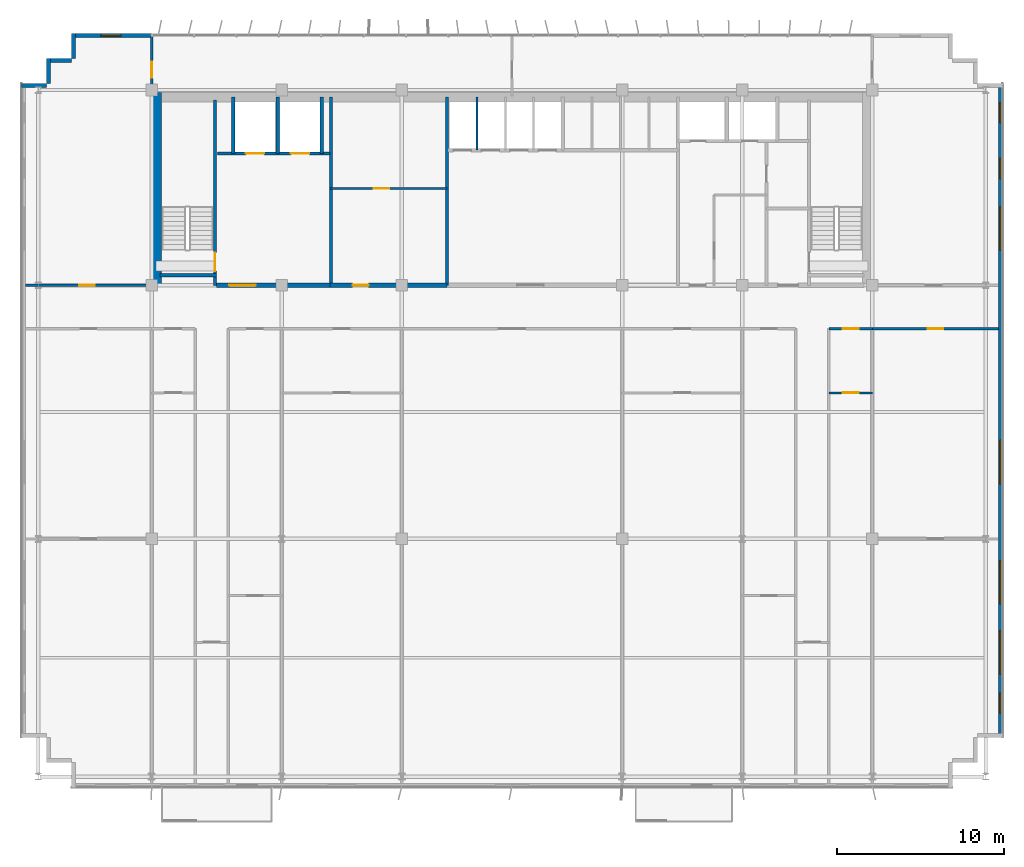
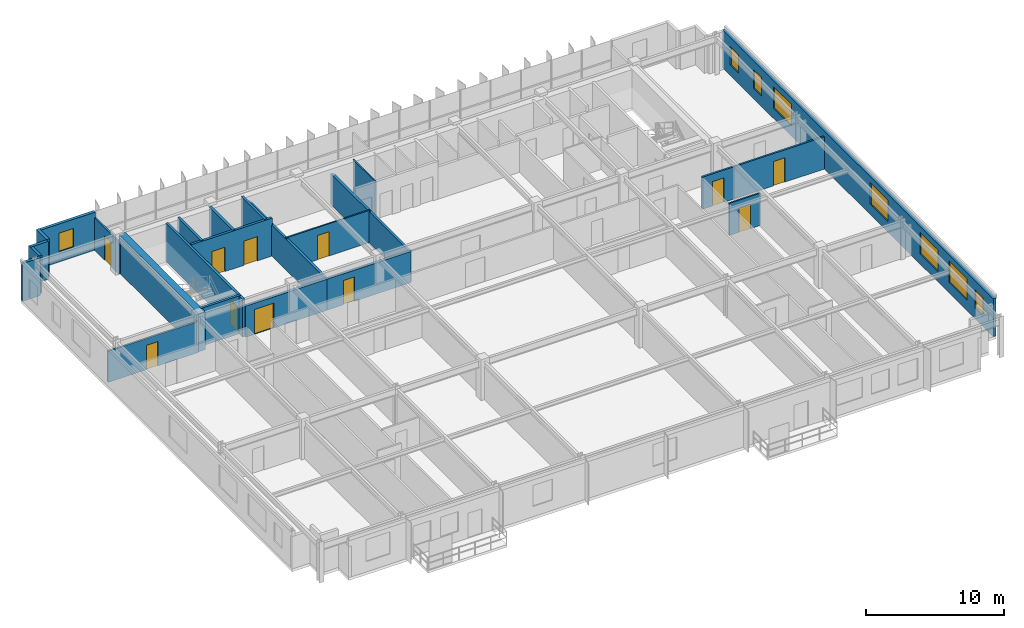
# One storey, part 16 of 20: 24 walls, 11 doors, 8 windows, 19 openings.
"""IFC4 building model written with IfcOpenShell, lengths in metres."""

from ifc_helpers import new_model, si_unit, direction, frame, frame_2d, origin, place, context, subcontext, project, spatial, rectangle, extrude, source, transform, mapped, material, layer, layer_set, type_object, element, fill, save


model = new_model("IFC4")

# Units and contexts
model_context = context("Model", 3, precision=1e-05, world=origin(), true_north=direction((0.0, 1.0)))
body_context = subcontext(model_context, "Body", "Model", "MODEL_VIEW")
ifc_project = project(units=[si_unit("LENGTHUNIT", "METRE"), si_unit("AREAUNIT", "SQUARE_METRE"), si_unit("VOLUMEUNIT", "CUBIC_METRE"), si_unit("PLANEANGLEUNIT", "RADIAN"), si_unit("MASSUNIT", "GRAM", prefix="KILO")], contexts=[model_context])

# Site, building, storey
site_placement = place(None, origin())
site = spatial("IfcSite", under=ifc_project, at=site_placement, CompositionType="ELEMENT")
building_placement = place(site_placement, origin())
building = spatial("IfcBuilding", under=site, at=building_placement, Name="Trelvane Seafront Commons", CompositionType="ELEMENT")
storey_placement = place(building_placement, frame((0.0, 0.0, 146.5)))
storey = spatial("IfcBuildingStorey", under=building, at=storey_placement, Name="L38", CompositionType="ELEMENT", Elevation=146.5)

# Wall, opening, window
ifc_material_1 = material(Name="Precast concrete C40/50", Category="concrete")
ifc_layer_1 = layer(ifc_material_1, 0.239990234375, Name="ARCH-WALL-EXT240")
ifc_layer_set_1 = layer_set([ifc_layer_1], Name="Precast concrete C40/50")
wall_type_1 = type_object("IfcWallType", Name="ARCH-WALL-EXT240", PredefinedType="SOLIDWALL", material=ifc_layer_set_1)
wall_1_placement = place(storey_placement, frame((10.89990234375, 48.3701171875, 0.0), z_axis=(0.0, 0.0, 1.0), x_axis=(1.0, 0.0, 0.0)))
wall_1 = element("IfcWall", 1, at=wall_1_placement, inside=storey, type_object=wall_type_1, Name="EW-L38-NW-0737", PredefinedType="SOLIDWALL", context=body_context, shape_type="SweptSolid", body=[
    extrude(rectangle(XDim=4.7001953125, YDim=0.239990234375, at=frame_2d((2.35009765625, 0.0))), origin(), (0.0, 0.0, 1.0), 3.35009765625),
])
opening_1_placement = place(wall_1_placement, frame((1.658935546875, 0.0, 0.89990234375)))
opening_1 = element("IfcOpeningElement", 2, at=opening_1_placement, cuts=wall_1, Name="Opening W05", PredefinedType="OPENING", context=body_context, shape_type="SweptSolid", body=[
    extrude(rectangle(XDim=1.199951171875, YDim=1.64990234375, at=frame_2d((0.60009765625, 0.824951171875))), frame((0.0, 0.1298828125, 0.0), z_axis=(0.0, -1.0, 0.0), x_axis=(1.0, 0.0, 0.0)), (0.0, 0.0, 1.0), 0.260009765625),
])
ifc_material_2 = material(Name="Low-E coastal double glazing", Category="glass")
window_type_1 = type_object("IfcWindowType", Name="ARCH-WIN-W05", PartitioningType="SINGLE_PANEL", PredefinedType="WINDOW", material=ifc_material_2)
shared_shape_1 = source(origin(), body_context, "Body", "SweptSolid", [
    extrude(rectangle(XDim=1.199951171875, YDim=1.64990234375, at=frame_2d((0.60009765625, 0.824951171875))), frame((0.0, 0.030029296875, 0.0), z_axis=(0.0, -1.0, 0.0), x_axis=(1.0, 0.0, 0.0)), (0.0, 0.0, 1.0), 0.06005859375),
])
window_1_placement = place(opening_1_placement, origin())
window_1 = element("IfcWindow", 3, at=window_1_placement, inside=storey, type_object=window_type_1, Name="WIN-L38-00875", OverallHeight=1.64990234375, OverallWidth=1.199951171875, PartitioningType="SINGLE_PANEL", PredefinedType="WINDOW", context=body_context, shape_type="MappedRepresentation", body=[
    mapped(shared_shape_1, transform((0.0, 0.0, 0.0), x_axis=(1.0, 0.0, 0.0), y_axis=(0.0, 1.0, 0.0), z_axis=(0.0, 0.0, 1.0), scale=1.0)),
])
fill(opening_1, window_1)

# Walls
for number, where, z_axis, x_axis, name in (
    (4, (7.800048828125, 45.3798828125, 0.0), (0.0, 0.0, 1.0), (1.0, 0.0, 0.0), "EW-L38-00743"),
    (5, (9.419921875, 45.5, 0.0), (0.0, 0.0, 1.0), (0.0, 1.0, 0.0), "EW-L38-00744"),
    (6, (9.300048828125, 46.8798828125, 0.0), (0.0, 0.0, 1.0), (1.0, 0.0, 0.0), "EW-L38-00745"),
    (7, (10.919921875, 47.0, 0.0), (0.0, 0.0, 1.0), (0.0, 1.0, 0.0), "EW-L38-00746"),
):
    element("IfcWall", number, at=place(storey_placement, frame(where, z_axis=z_axis, x_axis=x_axis)), inside=storey, type_object=wall_type_1, Name=name, PredefinedType="SOLIDWALL", context=body_context, shape_type="SweptSolid", body=[
        extrude(rectangle(XDim=1.5, YDim=0.239990234375, at=frame_2d((0.75, 0.0))), origin(), (0.0, 0.0, 1.0), 3.35009765625),
    ])

# Wall, openings, windows
wall_2_placement = place(storey_placement, frame((66.47998046875, 45.5, 0.0), z_axis=(0.0, 0.0, 1.0), x_axis=(0.0, -1.0, 0.0)))
wall_2 = element("IfcWall", 8, at=wall_2_placement, inside=storey, type_object=wall_type_1, Name="EW-L38-00751", PredefinedType="SOLIDWALL", context=body_context, shape_type="SweptSolid", body=[
    extrude(rectangle(XDim=39.199951171875, YDim=0.239990234375, at=frame_2d((19.60009765625, 0.0))), origin(), (0.0, 0.0, 1.0), 3.35009765625),
])
opening_2_placement = place(wall_2_placement, frame((36.550048828125, 0.0, 0.919921875)))
opening_2 = element("IfcOpeningElement", 9, at=opening_2_placement, cuts=wall_2, Name="Opening W05", PredefinedType="OPENING", context=body_context, shape_type="SweptSolid", body=[
    extrude(rectangle(XDim=1.199951171875, YDim=1.64990234375, at=frame_2d((0.60009765625, 0.824951171875))), frame((0.0, 0.1298828125, 0.0), z_axis=(0.0, -1.0, 0.0), x_axis=(1.0, 0.0, 0.0)), (0.0, 0.0, 1.0), 0.260009765625),
])
opening_3_placement = place(wall_2_placement, frame((32.800048828125, 0.0, 0.919921875)))
opening_3 = element("IfcOpeningElement", 10, at=opening_3_placement, cuts=wall_2, Name="Opening W04", PredefinedType="OPENING", context=body_context, shape_type="SweptSolid", body=[
    extrude(rectangle(XDim=2.60009765625, YDim=1.89990234375, at=frame_2d((1.300048828125, 0.949951171875))), frame((0.0, 0.1298828125, 0.0), z_axis=(0.0, -1.0, 0.0), x_axis=(1.0, 0.0, 0.0)), (0.0, 0.0, 1.0), 0.260009765625),
])
opening_4_placement = place(wall_2_placement, frame((28.60009765625, 0.0, 0.919921875)))
opening_4 = element("IfcOpeningElement", 11, at=opening_4_placement, cuts=wall_2, Name="Opening W04", PredefinedType="OPENING", context=body_context, shape_type="SweptSolid", body=[
    extrude(rectangle(XDim=2.60009765625, YDim=1.89990234375, at=frame_2d((1.300048828125, 0.949951171875))), frame((0.0, 0.1298828125, 0.0), z_axis=(0.0, -1.0, 0.0), x_axis=(1.0, 0.0, 0.0)), (0.0, 0.0, 1.0), 0.260009765625),
])
opening_5_placement = place(wall_2_placement, frame((21.39990234375, 0.0, 0.919921875)))
opening_5 = element("IfcOpeningElement", 12, at=opening_5_placement, cuts=wall_2, Name="Opening W04", PredefinedType="OPENING", context=body_context, shape_type="SweptSolid", body=[
    extrude(rectangle(XDim=2.60009765625, YDim=1.89990234375, at=frame_2d((1.300048828125, 0.949951171875))), frame((0.0, 0.1298828125, 0.0), z_axis=(0.0, -1.0, 0.0), x_axis=(1.0, 0.0, 0.0)), (0.0, 0.0, 1.0), 0.260009765625),
])
opening_6_placement = place(wall_2_placement, frame((7.39990234375, 0.0, 0.919921875)))
opening_6 = element("IfcOpeningElement", 13, at=opening_6_placement, cuts=wall_2, Name="Opening W04", PredefinedType="OPENING", context=body_context, shape_type="SweptSolid", body=[
    extrude(rectangle(XDim=2.60009765625, YDim=1.89990234375, at=frame_2d((1.300048828125, 0.949951171875))), frame((0.0, 0.1298828125, 0.0), z_axis=(0.0, -1.0, 0.0), x_axis=(1.0, 0.0, 0.0)), (0.0, 0.0, 1.0), 0.260009765625),
])
opening_7_placement = place(wall_2_placement, frame((4.5, 0.0, 0.919921875)))
opening_7 = element("IfcOpeningElement", 14, at=opening_7_placement, cuts=wall_2, Name="Opening W05", PredefinedType="OPENING", context=body_context, shape_type="SweptSolid", body=[
    extrude(rectangle(XDim=1.199951171875, YDim=1.64990234375, at=frame_2d((0.60009765625, 0.824951171875))), frame((0.0, 0.1298828125, 0.0), z_axis=(0.0, -1.0, 0.0), x_axis=(1.0, 0.0, 0.0)), (0.0, 0.0, 1.0), 0.260009765625),
])
opening_8_placement = place(wall_2_placement, frame((1.14990234375, 0.0, 0.919921875)))
opening_8 = element("IfcOpeningElement", 15, at=opening_8_placement, cuts=wall_2, Name="Opening W05", PredefinedType="OPENING", context=body_context, shape_type="SweptSolid", body=[
    extrude(rectangle(XDim=1.199951171875, YDim=1.64990234375, at=frame_2d((0.60009765625, 0.824951171875))), frame((0.0, 0.1298828125, 0.0), z_axis=(0.0, -1.0, 0.0), x_axis=(1.0, 0.0, 0.0)), (0.0, 0.0, 1.0), 0.260009765625),
])
window_type_2 = type_object("IfcWindowType", Name="ARCH-WIN-W04", PartitioningType="SINGLE_PANEL", PredefinedType="WINDOW", material=ifc_material_2)
shared_shape_2 = source(origin(), body_context, "Body", "SweptSolid", [
    extrude(rectangle(XDim=2.60009765625, YDim=1.89990234375, at=frame_2d((1.300048828125, 0.949951171875))), frame((0.0, 0.030029296875, 0.0), z_axis=(0.0, -1.0, 0.0), x_axis=(1.0, 0.0, 0.0)), (0.0, 0.0, 1.0), 0.06005859375),
])
window_2_placement = place(opening_3_placement, origin())
window_2 = element("IfcWindow", 16, at=window_2_placement, inside=storey, type_object=window_type_2, Name="WIN-L38-EW-00885", OverallHeight=1.89990234375, OverallWidth=2.60009765625, PartitioningType="SINGLE_PANEL", PredefinedType="WINDOW", context=body_context, shape_type="MappedRepresentation", body=[
    mapped(shared_shape_2, transform((0.0, 0.0, 0.0), x_axis=(1.0, 0.0, 0.0), y_axis=(0.0, 1.0, 0.0), z_axis=(0.0, 0.0, 1.0), scale=1.0)),
])
fill(opening_3, window_2)
window_3_placement = place(opening_4_placement, origin())
window_3 = element("IfcWindow", 17, at=window_3_placement, inside=storey, type_object=window_type_2, Name="WIN-L38-EW-00886", OverallHeight=1.89990234375, OverallWidth=2.60009765625, PartitioningType="SINGLE_PANEL", PredefinedType="WINDOW", context=body_context, shape_type="MappedRepresentation", body=[
    mapped(shared_shape_2, transform((0.0, 0.0, 0.0), x_axis=(1.0, 0.0, 0.0), y_axis=(0.0, 1.0, 0.0), z_axis=(0.0, 0.0, 1.0), scale=1.0)),
])
fill(opening_4, window_3)
window_4_placement = place(opening_5_placement, origin())
window_4 = element("IfcWindow", 18, at=window_4_placement, inside=storey, type_object=window_type_2, Name="WIN-L38-EW-00887", OverallHeight=1.89990234375, OverallWidth=2.60009765625, PartitioningType="SINGLE_PANEL", PredefinedType="WINDOW", context=body_context, shape_type="MappedRepresentation", body=[
    mapped(shared_shape_2, transform((0.0, 0.0, 0.0), x_axis=(1.0, 0.0, 0.0), y_axis=(0.0, 1.0, 0.0), z_axis=(0.0, 0.0, 1.0), scale=1.0)),
])
fill(opening_5, window_4)
window_5_placement = place(opening_6_placement, origin())
window_5 = element("IfcWindow", 19, at=window_5_placement, inside=storey, type_object=window_type_2, Name="WIN-L38-EW-00888", OverallHeight=1.89990234375, OverallWidth=2.60009765625, PartitioningType="SINGLE_PANEL", PredefinedType="WINDOW", context=body_context, shape_type="MappedRepresentation", body=[
    mapped(shared_shape_2, transform((0.0, 0.0, 0.0), x_axis=(1.0, 0.0, 0.0), y_axis=(0.0, 1.0, 0.0), z_axis=(0.0, 0.0, 1.0), scale=1.0)),
])
fill(opening_6, window_5)
window_6_placement = place(opening_2_placement, origin())
window_6 = element("IfcWindow", 20, at=window_6_placement, inside=storey, type_object=window_type_1, Name="WIN-L38-EW-00884", OverallHeight=1.64990234375, OverallWidth=1.199951171875, PartitioningType="SINGLE_PANEL", PredefinedType="WINDOW", context=body_context, shape_type="MappedRepresentation", body=[
    mapped(shared_shape_1, transform((0.0, 0.0, 0.0), x_axis=(1.0, 0.0, 0.0), y_axis=(0.0, 1.0, 0.0), z_axis=(0.0, 0.0, 1.0), scale=1.0)),
])
fill(opening_2, window_6)
window_7_placement = place(opening_7_placement, origin())
window_7 = element("IfcWindow", 21, at=window_7_placement, inside=storey, type_object=window_type_1, Name="WIN-L38-EW-00889", OverallHeight=1.64990234375, OverallWidth=1.199951171875, PartitioningType="SINGLE_PANEL", PredefinedType="WINDOW", context=body_context, shape_type="MappedRepresentation", body=[
    mapped(shared_shape_1, transform((0.0, 0.0, 0.0), x_axis=(1.0, 0.0, 0.0), y_axis=(0.0, 1.0, 0.0), z_axis=(0.0, 0.0, 1.0), scale=1.0)),
])
fill(opening_7, window_7)
window_8_placement = place(opening_8_placement, origin())
window_8 = element("IfcWindow", 22, at=window_8_placement, inside=storey, type_object=window_type_1, Name="WIN-L38-EW-00890", OverallHeight=1.64990234375, OverallWidth=1.199951171875, PartitioningType="SINGLE_PANEL", PredefinedType="WINDOW", context=body_context, shape_type="MappedRepresentation", body=[
    mapped(shared_shape_1, transform((0.0, 0.0, 0.0), x_axis=(1.0, 0.0, 0.0), y_axis=(0.0, 1.0, 0.0), z_axis=(0.0, 0.0, 1.0), scale=1.0)),
])
fill(opening_8, window_8)

# Wall, opening, door
ifc_material_3 = material(Name="Concrete C40/50", Category="concrete")
ifc_layer_2 = layer(ifc_material_3, 0.25, Name="ARCH-WALL-FIRE250")
ifc_layer_set_2 = layer_set([ifc_layer_2], Name="Concrete C40/50")
wall_type_2 = type_object("IfcWallType", Name="ARCH-WALL-FIRE250", PredefinedType="PARTITIONING", material=ifc_layer_set_2)
wall_3_placement = place(storey_placement, frame((19.5, 33.39990234375, 0.0), z_axis=(0.0, 0.0, 1.0), x_axis=(1.0, 0.0, 0.0)))
wall_3 = element("IfcWall", 23, at=wall_3_placement, inside=storey, type_object=wall_type_2, Name="W-L38-CS-FFL-013", PredefinedType="PARTITIONING", context=body_context, shape_type="SweptSolid", body=[
    extrude(rectangle(XDim=6.800048828125, YDim=0.25, at=frame_2d((3.39990234375, 0.0))), origin(), (0.0, 0.0, 1.0), 2.75),
])
opening_9_placement = place(wall_3_placement, frame((0.75, 0.0, 0.0)))
opening_9 = element("IfcOpeningElement", 24, at=opening_9_placement, cuts=wall_3, Name="Opening FD-L38-05", PredefinedType="OPENING", context=body_context, shape_type="SweptSolid", body=[
    extrude(rectangle(XDim=1.60009765625, YDim=2.199951171875, at=frame_2d((0.800048828125, 1.10009765625))), frame((0.0, 0.135009765625, 0.0), z_axis=(0.0, -1.0, 0.0), x_axis=(1.0, 0.0, 0.0)), (0.0, 0.0, 1.0), 0.27001953125),
])
ifc_material_4 = material(Name="Powder-coated aluminium frame", Category="aluminium")
door_type_1 = type_object("IfcDoorType", Name="ARCH-DR-FD60-1600", OperationType="DOUBLE_DOOR_SINGLE_SWING", PredefinedType="DOOR", material=ifc_material_4)
shared_shape_3 = source(origin(), body_context, "Body", "SweptSolid", [
    extrude(rectangle(XDim=1.60009765625, YDim=2.199951171875, at=frame_2d((0.800048828125, 1.10009765625))), frame((0.0, 0.02490234375, 0.0), z_axis=(0.0, -1.0, 0.0), x_axis=(1.0, 0.0, 0.0)), (0.0, 0.0, 1.0), 0.050048828125),
])
door_1_placement = place(opening_9_placement, origin())
door_1 = element("IfcDoor", 25, at=door_1_placement, inside=storey, type_object=door_type_1, Name="L38 Firefighting Lift Lobby Double Fire Door", OperationType="DOUBLE_DOOR_SINGLE_SWING", OverallHeight=2.199951171875, OverallWidth=1.60009765625, PredefinedType="DOOR", context=body_context, shape_type="MappedRepresentation", body=[
    mapped(shared_shape_3, transform((0.0, 0.0, 0.0), x_axis=(1.0, 0.0, 0.0), y_axis=(0.0, 1.0, 0.0), z_axis=(0.0, 0.0, 1.0), scale=1.0)),
])
fill(opening_9, door_1)

wall_4_placement = place(storey_placement, frame((26.300048828125, 33.39990234375, 0.0), z_axis=(0.0, 0.0, 1.0), x_axis=(1.0, 0.0, 0.0)))
wall_4 = element("IfcWall", 26, at=wall_4_placement, inside=storey, type_object=wall_type_2, Name="W-L38-CS-FPL-026", PredefinedType="PARTITIONING", context=body_context, shape_type="SweptSolid", body=[
    extrude(rectangle(XDim=7.0, YDim=0.25, at=frame_2d((3.5, 0.0))), origin(), (0.0, 0.0, 1.0), 2.75),
])
opening_10_placement = place(wall_4_placement, frame((1.35009765625, 0.0, 0.0)))
opening_10 = element("IfcOpeningElement", 27, at=opening_10_placement, cuts=wall_4, Name="Opening D-L38-11", PredefinedType="OPENING", context=body_context, shape_type="SweptSolid", body=[
    extrude(rectangle(XDim=0.949951171875, YDim=2.14990234375, at=frame_2d((0.47509765625, 1.074951171875))), frame((0.0, 0.135009765625, 0.0), z_axis=(0.0, -1.0, 0.0), x_axis=(1.0, 0.0, 0.0)), (0.0, 0.0, 1.0), 0.27001953125),
])
ifc_material_5 = material(Name="Acoustic timber door leaf", Category="wood")
door_type_2 = type_object("IfcDoorType", Name="ARCH-DR-INT950", OperationType="NOTDEFINED", PredefinedType="DOOR", material=ifc_material_5)
shared_shape_4 = source(origin(), body_context, "Body", "SweptSolid", [
    extrude(rectangle(XDim=0.949951171875, YDim=2.14990234375, at=frame_2d((0.47509765625, 1.074951171875))), frame((0.0, 0.02490234375, 0.0), z_axis=(0.0, -1.0, 0.0), x_axis=(1.0, 0.0, 0.0)), (0.0, 0.0, 1.0), 0.050048828125),
])
door_2_placement = place(opening_10_placement, origin())
door_2 = element("IfcDoor", 28, at=door_2_placement, inside=storey, type_object=door_type_2, Name="L38 Floor Pantry Entrance Door", OperationType="SINGLE_SWING_LEFT", OverallHeight=2.14990234375, OverallWidth=0.949951171875, PredefinedType="DOOR", context=body_context, shape_type="MappedRepresentation", body=[
    mapped(shared_shape_4, transform((0.0, 0.0, 0.0), x_axis=(1.0, 0.0, 0.0), y_axis=(0.0, 1.0, 0.0), z_axis=(0.0, 0.0, 1.0), scale=1.0)),
])
fill(opening_10, door_2)

ifc_material_6 = material(Name="Gypsum Drywall Acoustic Partition")
ifc_layer_3 = layer(ifc_material_6, 0.1201171875, Name="ARCH-WALL-PART120")
ifc_layer_set_3 = layer_set([ifc_layer_3], Name="Gypsum Drywall Acoustic Partition")
wall_type_3 = type_object("IfcWallType", Name="ARCH-WALL-PART120", PredefinedType="PARTITIONING", material=ifc_layer_set_3)
wall_5_placement = place(storey_placement, frame((26.300048828125, 39.199951171875, 0.0), z_axis=(0.0, 0.0, 1.0), x_axis=(1.0, 0.0, 0.0)))
wall_5 = element("IfcWall", 29, at=wall_5_placement, inside=storey, type_object=wall_type_3, Name="W-L38-FREED-PL-MID-014", PredefinedType="PARTITIONING", context=body_context, shape_type="SweptSolid", body=[
    extrude(rectangle(XDim=7.0, YDim=0.1201171875, at=frame_2d((3.5, 0.0))), origin(), (0.0, 0.0, 1.0), 2.85009765625),
])
opening_11_placement = place(wall_5_placement, frame((2.60009765625, 0.0, 0.0)))
opening_11 = element("IfcOpeningElement", 30, at=opening_11_placement, cuts=wall_5, Name="Opening D-L38-06", PredefinedType="OPENING", context=body_context, shape_type="SweptSolid", body=[
    extrude(rectangle(XDim=0.949951171875, YDim=2.14990234375, at=frame_2d((0.47509765625, 1.074951171875))), frame((0.0, 0.070068359375, 0.0), z_axis=(0.0, -1.0, 0.0), x_axis=(1.0, 0.0, 0.0)), (0.0, 0.0, 1.0), 0.14013671875),
])
door_3_placement = place(opening_11_placement, origin())
door_3 = element("IfcDoor", 31, at=door_3_placement, inside=storey, type_object=door_type_2, Name="L38 Housekeeping Store Door", OperationType="SINGLE_SWING_RIGHT", OverallHeight=2.14990234375, OverallWidth=0.949951171875, PredefinedType="DOOR", context=body_context, shape_type="MappedRepresentation", body=[
    mapped(shared_shape_4, transform((0.0, 0.0, 0.0), x_axis=(1.0, 0.0, 0.0), y_axis=(0.0, 1.0, 0.0), z_axis=(0.0, 0.0, 1.0), scale=1.0)),
])
fill(opening_11, door_3)

# Wall
wall_6_placement = place(storey_placement, frame((35.10009765625, 41.5, 0.0), z_axis=(0.0, 0.0, 1.0), x_axis=(0.0, 1.0, 0.0)))
element("IfcWall", 32, at=wall_6_placement, inside=storey, type_object=wall_type_3, Name="W-L38-PM-DIV1-017", PredefinedType="PARTITIONING", context=body_context, shape_type="SweptSolid", body=[
    extrude(rectangle(XDim=3.199951171875, YDim=0.1201171875, at=frame_2d((1.60009765625, 0.0))), origin(), (0.0, 0.0, 1.0), 3.35009765625),
])

# Wall, opening, door
wall_7_placement = place(storey_placement, frame((56.199951171875, 26.949951171875, 0.0), z_axis=(0.0, 0.0, 1.0), x_axis=(1.0, 0.0, 0.0)))
wall_7 = element("IfcWall", 33, at=wall_7_placement, inside=storey, type_object=wall_type_3, Name="W-L38-U10-DIV-067", PredefinedType="PARTITIONING", context=body_context, shape_type="SweptSolid", body=[
    extrude(rectangle(XDim=2.60009765625, YDim=0.1201171875, at=frame_2d((1.300048828125, 0.0))), origin(), (0.0, 0.0, 1.0), 2.85009765625),
])
opening_12_placement = place(wall_7_placement, frame((0.824951171875, 0.0, 0.0)))
opening_12 = element("IfcOpeningElement", 34, at=opening_12_placement, cuts=wall_7, Name="Opening D-L38-40", PredefinedType="OPENING", context=body_context, shape_type="SweptSolid", body=[
    extrude(rectangle(XDim=0.949951171875, YDim=2.14990234375, at=frame_2d((0.47509765625, 1.074951171875))), frame((0.0, 0.070068359375, 0.0), z_axis=(0.0, -1.0, 0.0), x_axis=(1.0, 0.0, 0.0)), (0.0, 0.0, 1.0), 0.14013671875),
])
door_4_placement = place(opening_12_placement, origin())
door_4 = element("IfcDoor", 35, at=door_4_placement, inside=storey, type_object=door_type_2, Name="L38 Door 40", OperationType="SINGLE_SWING_RIGHT", OverallHeight=2.14990234375, OverallWidth=0.949951171875, PredefinedType="DOOR", context=body_context, shape_type="MappedRepresentation", body=[
    mapped(shared_shape_4, transform((0.0, 0.0, 0.0), x_axis=(1.0, 0.0, 0.0), y_axis=(0.0, 1.0, 0.0), z_axis=(0.0, 0.0, 1.0), scale=1.0)),
])
fill(opening_12, door_4)

ifc_layer_4 = layer(ifc_material_6, 0.14990234375, Name="ARCH-WALL-PART150")
ifc_layer_set_4 = layer_set([ifc_layer_4], Name="Gypsum Drywall Acoustic Partition")
wall_type_4 = type_object("IfcWallType", Name="ARCH-WALL-PART150", PredefinedType="PARTITIONING", material=ifc_layer_set_4)
wall_8_placement = place(storey_placement, frame((8.050048828125, 33.39990234375, 0.0), z_axis=(0.0, 0.0, 1.0), x_axis=(1.0, 0.0, 0.0)))
wall_8 = element("IfcWall", 36, at=wall_8_placement, inside=storey, type_object=wall_type_4, Name="W-L38-NW-ENT-036", PredefinedType="PARTITIONING", context=body_context, shape_type="SweptSolid", body=[
    extrude(rectangle(XDim=7.550048828125, YDim=0.14990234375, at=frame_2d((3.77490234375, 0.0))), origin(), (0.0, 0.0, 1.0), 2.75),
])
opening_13_placement = place(wall_8_placement, frame((3.199951171875, 0.0, 0.0)))
opening_13 = element("IfcOpeningElement", 37, at=opening_13_placement, cuts=wall_8, Name="Opening FD-L38-19", PredefinedType="OPENING", context=body_context, shape_type="SweptSolid", body=[
    extrude(rectangle(XDim=0.949951171875, YDim=2.14990234375, at=frame_2d((0.47509765625, 1.074951171875))), frame((0.0, 0.0849609375, 0.0), z_axis=(0.0, -1.0, 0.0), x_axis=(1.0, 0.0, 0.0)), (0.0, 0.0, 1.0), 0.169921875),
])
door_type_3 = type_object("IfcDoorType", Name="ARCH-DR-FD60-950", OperationType="NOTDEFINED", PredefinedType="DOOR", material=ifc_material_4)
door_5_placement = place(opening_13_placement, origin())
door_5 = element("IfcDoor", 38, at=door_5_placement, inside=storey, type_object=door_type_3, Name="L38 NW Suite Entrance Door", OperationType="SINGLE_SWING_LEFT", OverallHeight=2.14990234375, OverallWidth=0.949951171875, PredefinedType="DOOR", context=body_context, shape_type="MappedRepresentation", body=[
    mapped(shared_shape_4, transform((0.0, 0.0, 0.0), x_axis=(1.0, 0.0, 0.0), y_axis=(0.0, 1.0, 0.0), z_axis=(0.0, 0.0, 1.0), scale=1.0)),
])
fill(opening_13, door_5)

wall_9_placement = place(storey_placement, frame((15.60009765625, 44.75, 0.0), z_axis=(0.0, 0.0, 1.0), x_axis=(0.0, 1.0, 0.0)))
wall_9 = element("IfcWall", 39, at=wall_9_placement, inside=storey, type_object=wall_type_4, Name="W-L38-N-LINK-W-039", PredefinedType="PARTITIONING", context=body_context, shape_type="SweptSolid", body=[
    extrude(rectangle(XDim=3.610107421875, YDim=0.14990234375, at=frame_2d((1.80517578125, 0.0))), origin(), (0.0, 0.0, 1.0), 2.85009765625),
])
opening_14_placement = place(wall_9_placement, frame((1.10009765625, 0.0, 0.0)))
opening_14 = element("IfcOpeningElement", 40, at=opening_14_placement, cuts=wall_9, Name="Opening FD-L38-22", PredefinedType="OPENING", context=body_context, shape_type="SweptSolid", body=[
    extrude(rectangle(XDim=0.949951171875, YDim=2.14990234375, at=frame_2d((0.47509765625, 1.074951171875))), frame((0.0, 0.0849609375, 0.0), z_axis=(0.0, -1.0, 0.0), x_axis=(1.0, 0.0, 0.0)), (0.0, 0.0, 1.0), 0.169921875),
])
door_6_placement = place(opening_14_placement, origin())
door_6 = element("IfcDoor", 41, at=door_6_placement, inside=storey, type_object=door_type_3, Name="L38 Door 22", OperationType="SINGLE_SWING_RIGHT", OverallHeight=2.14990234375, OverallWidth=0.949951171875, PredefinedType="DOOR", context=body_context, shape_type="MappedRepresentation", body=[
    mapped(shared_shape_4, transform((0.0, 0.0, 0.0), x_axis=(1.0, 0.0, 0.0), y_axis=(0.0, 1.0, 0.0), z_axis=(0.0, 0.0, 1.0), scale=1.0)),
])
fill(opening_14, door_6)

wall_10_placement = place(storey_placement, frame((56.199951171875, 30.800048828125, 0.0), z_axis=(0.0, 0.0, 1.0), x_axis=(1.0, 0.0, 0.0)))
wall_10 = element("IfcWall", 42, at=wall_10_placement, inside=storey, type_object=wall_type_4, Name="W-L38-CS-BAY-10-066", PredefinedType="PARTITIONING", context=body_context, shape_type="SweptSolid", body=[
    extrude(rectangle(XDim=2.60009765625, YDim=0.14990234375, at=frame_2d((1.300048828125, 0.0))), origin(), (0.0, 0.0, 1.0), 2.85009765625),
])
opening_15_placement = place(wall_10_placement, frame((0.824951171875, 0.0, 0.0)))
opening_15 = element("IfcOpeningElement", 43, at=opening_15_placement, cuts=wall_10, Name="Opening FD-L38-39", PredefinedType="OPENING", context=body_context, shape_type="SweptSolid", body=[
    extrude(rectangle(XDim=0.949951171875, YDim=2.14990234375, at=frame_2d((0.47509765625, 1.074951171875))), frame((0.0, 0.0849609375, 0.0), z_axis=(0.0, -1.0, 0.0), x_axis=(1.0, 0.0, 0.0)), (0.0, 0.0, 1.0), 0.169921875),
])
door_7_placement = place(opening_15_placement, origin())
door_7 = element("IfcDoor", 44, at=door_7_placement, inside=storey, type_object=door_type_3, Name="L38 Bay 10 Entrance Door", OperationType="SINGLE_SWING_LEFT", OverallHeight=2.14990234375, OverallWidth=0.949951171875, PredefinedType="DOOR", context=body_context, shape_type="MappedRepresentation", body=[
    mapped(shared_shape_4, transform((0.0, 0.0, 0.0), x_axis=(1.0, 0.0, 0.0), y_axis=(0.0, 1.0, 0.0), z_axis=(0.0, 0.0, 1.0), scale=1.0)),
])
fill(opening_15, door_7)

wall_11_placement = place(storey_placement, frame((58.800048828125, 30.800048828125, 0.0), z_axis=(0.0, 0.0, 1.0), x_axis=(1.0, 0.0, 0.0)))
wall_11 = element("IfcWall", 45, at=wall_11_placement, inside=storey, type_object=wall_type_4, Name="W-L38-CS-BAY-11-068", PredefinedType="PARTITIONING", context=body_context, shape_type="SweptSolid", body=[
    extrude(rectangle(XDim=7.574951171875, YDim=0.14990234375, at=frame_2d((3.78759765625, 0.0))), origin(), (0.0, 0.0, 1.0), 2.85009765625),
])
opening_16_placement = place(wall_11_placement, frame((3.31298828125, 0.0, 0.0)))
opening_16 = element("IfcOpeningElement", 46, at=opening_16_placement, cuts=wall_11, Name="Opening FD-L38-41", PredefinedType="OPENING", context=body_context, shape_type="SweptSolid", body=[
    extrude(rectangle(XDim=0.949951171875, YDim=2.14990234375, at=frame_2d((0.47509765625, 1.074951171875))), frame((0.0, 0.0849609375, 0.0), z_axis=(0.0, -1.0, 0.0), x_axis=(1.0, 0.0, 0.0)), (0.0, 0.0, 1.0), 0.169921875),
])
door_8_placement = place(opening_16_placement, origin())
door_8 = element("IfcDoor", 47, at=door_8_placement, inside=storey, type_object=door_type_3, Name="L38 Bay 11 Entrance Door", OperationType="SINGLE_SWING_LEFT", OverallHeight=2.14990234375, OverallWidth=0.949951171875, PredefinedType="DOOR", context=body_context, shape_type="MappedRepresentation", body=[
    mapped(shared_shape_4, transform((0.0, 0.0, 0.0), x_axis=(1.0, 0.0, 0.0), y_axis=(0.0, 1.0, 0.0), z_axis=(0.0, 0.0, 1.0), scale=1.0)),
])
fill(opening_16, door_8)

# Wall, openings, doors
ifc_layer_5 = layer(ifc_material_3, 0.199951171875, Name="ARCH-WALL-SHAFT200")
ifc_layer_set_5 = layer_set([ifc_layer_5], Name="Concrete C40/50")
wall_type_5 = type_object("IfcWallType", Name="ARCH-WALL-SHAFT200", PredefinedType="SOLIDWALL", material=ifc_layer_set_5)
wall_12_placement = place(storey_placement, frame((19.550048828125, 41.300048828125, 0.0), z_axis=(0.0, 0.0, 1.0), x_axis=(1.0, 0.0, 0.0)))
wall_12 = element("IfcWall", 48, at=wall_12_placement, inside=storey, type_object=wall_type_5, Name="W-L38-FFL-FRONT-008", PredefinedType="SOLIDWALL", context=body_context, shape_type="SweptSolid", body=[
    extrude(rectangle(XDim=6.75, YDim=0.199951171875, at=frame_2d((3.375, 0.0))), origin(), (0.0, 0.0, 1.0), 3.35009765625),
])
opening_17_placement = place(wall_12_placement, frame((1.699951171875, 0.0, 0.0)))
opening_17 = element("IfcOpeningElement", 49, at=opening_17_placement, cuts=wall_12, Name="Opening LD-FF1-L38", PredefinedType="OPENING", context=body_context, shape_type="SweptSolid", body=[
    extrude(rectangle(XDim=1.10009765625, YDim=2.14990234375, at=frame_2d((0.550048828125, 1.074951171875))), frame((0.0, 0.10986328125, 0.0), z_axis=(0.0, -1.0, 0.0), x_axis=(1.0, 0.0, 0.0)), (0.0, 0.0, 1.0), 0.219970703125),
])
opening_18_placement = place(wall_12_placement, frame((4.39990234375, 0.0, 0.0)))
opening_18 = element("IfcOpeningElement", 50, at=opening_18_placement, cuts=wall_12, Name="Opening LD-FF2-L38", PredefinedType="OPENING", context=body_context, shape_type="SweptSolid", body=[
    extrude(rectangle(XDim=1.10009765625, YDim=2.14990234375, at=frame_2d((0.550048828125, 1.074951171875))), frame((0.0, 0.10986328125, 0.0), z_axis=(0.0, -1.0, 0.0), x_axis=(1.0, 0.0, 0.0)), (0.0, 0.0, 1.0), 0.219970703125),
])
ifc_material_7 = material(Name="Stainless steel balustrade", Category="steel")
door_type_4 = type_object("IfcDoorType", Name="ARCH-DR-LD1100", OperationType="DOUBLE_DOOR_SLIDING", PredefinedType="DOOR", material=ifc_material_7)
shared_shape_5 = source(origin(), body_context, "Body", "SweptSolid", [
    extrude(rectangle(XDim=1.10009765625, YDim=2.14990234375, at=frame_2d((0.550048828125, 1.074951171875))), frame((0.0, 0.02490234375, 0.0), z_axis=(0.0, -1.0, 0.0), x_axis=(1.0, 0.0, 0.0)), (0.0, 0.0, 1.0), 0.050048828125),
])
door_9_placement = place(opening_17_placement, origin())
door_9 = element("IfcDoor", 51, at=door_9_placement, inside=storey, type_object=door_type_4, Name="L38 Firefighting Lift FFL-1 Landing Door", OperationType="DOUBLE_DOOR_SLIDING", OverallHeight=2.14990234375, OverallWidth=1.10009765625, PredefinedType="DOOR", context=body_context, shape_type="MappedRepresentation", body=[
    mapped(shared_shape_5, transform((0.0, 0.0, 0.0), x_axis=(1.0, 0.0, 0.0), y_axis=(0.0, 1.0, 0.0), z_axis=(0.0, 0.0, 1.0), scale=1.0)),
])
fill(opening_17, door_9)
door_10_placement = place(opening_18_placement, origin())
door_10 = element("IfcDoor", 52, at=door_10_placement, inside=storey, type_object=door_type_4, Name="L38 Firefighting Lift FFL-2 Landing Door", OperationType="DOUBLE_DOOR_SLIDING", OverallHeight=2.14990234375, OverallWidth=1.10009765625, PredefinedType="DOOR", context=body_context, shape_type="MappedRepresentation", body=[
    mapped(shared_shape_5, transform((0.0, 0.0, 0.0), x_axis=(1.0, 0.0, 0.0), y_axis=(0.0, 1.0, 0.0), z_axis=(0.0, 0.0, 1.0), scale=1.0)),
])
fill(opening_18, door_10)

# Walls
for number, where, z_axis, x_axis, name in (
    (53, (20.5, 41.300048828125, 0.0), (0.0, 0.0, 1.0), (0.0, 1.0, 0.0), "W-L38-FFL-SH-W-009"),
    (54, (23.14990234375, 41.300048828125, 0.0), (0.0, 0.0, 1.0), (0.0, 1.0, 0.0), "W-L38-FFL-DIV-010"),
    (55, (25.800048828125, 41.300048828125, 0.0), (0.0, 0.0, 1.0), (0.0, 1.0, 0.0), "W-L38-FFL-SH-E-011"),
):
    element("IfcWall", number, at=place(storey_placement, frame(where, z_axis=z_axis, x_axis=x_axis)), inside=storey, type_object=wall_type_5, Name=name, PredefinedType="SOLIDWALL", context=body_context, shape_type="SweptSolid", body=[
        extrude(rectangle(XDim=3.39990234375, YDim=0.199951171875, at=frame_2d((1.699951171875, 0.0))), origin(), (0.0, 0.0, 1.0), 3.35009765625),
    ])
for number, where, z_axis, x_axis, name in (
    (56, (26.35009765625, 33.39990234375, 0.0), (0.0, 0.0, 1.0), (0.0, 1.0, 0.0), "W-L38-FFL-EAST-012"),
    (57, (33.300048828125, 33.39990234375, 0.0), (0.0, 0.0, 1.0), (0.0, 1.0, 0.0), "W-L38-FREED-PL-E-015"),
):
    element("IfcWall", number, at=place(storey_placement, frame(where, z_axis=z_axis, x_axis=x_axis)), inside=storey, type_object=wall_type_5, Name=name, PredefinedType="SOLIDWALL", context=body_context, shape_type="SweptSolid", body=[
        extrude(rectangle(XDim=11.300048828125, YDim=0.199951171875, at=frame_2d((5.64990234375, 0.0))), origin(), (0.0, 0.0, 1.0), 2.75),
    ])
ifc_material_8 = material(Name="Concrete C50/60", Category="concrete")
ifc_layer_6 = layer(ifc_material_8, 0.550048828125, Name="STR-WALL-CORE550")
ifc_layer_set_6 = layer_set([ifc_layer_6], Name="Concrete C50/60")
wall_type_6 = type_object("IfcWallType", Name="STR-WALL-CORE550", PredefinedType="SHEAR", material=ifc_layer_set_6)
wall_13_placement = place(storey_placement, frame((15.925048828125, 33.39990234375, 0.0), z_axis=(0.0, 0.0, 1.0), x_axis=(0.0, 1.0, 0.0)))
element("IfcWall", 58, at=wall_13_placement, inside=storey, type_object=wall_type_6, Name="W-L38-CW-END-002", PredefinedType="SHEAR", context=body_context, shape_type="SweptSolid", body=[
    extrude(rectangle(XDim=11.550048828125, YDim=0.550048828125, at=frame_2d((5.77490234375, 0.0))), origin(), (0.0, 0.0, 1.0), 3.35009765625),
])
ifc_layer_7 = layer(ifc_material_8, 0.199951171875, Name="STR-WALL-STAIR200")
ifc_layer_set_7 = layer_set([ifc_layer_7], Name="Concrete C50/60")
wall_type_7 = type_object("IfcWallType", Name="STR-WALL-STAIR200", PredefinedType="SHEAR", material=ifc_layer_set_7)
wall_14_placement = place(storey_placement, frame((16.10009765625, 34.0, 0.0), z_axis=(0.0, 0.0, 1.0), x_axis=(1.0, 0.0, 0.0)))
element("IfcWall", 59, at=wall_14_placement, inside=storey, type_object=wall_type_7, Name="W-L38-ST1-S-004", PredefinedType="SHEAR", context=body_context, shape_type="SweptSolid", body=[
    extrude(rectangle(XDim=3.39990234375, YDim=0.199951171875, at=frame_2d((1.699951171875, 0.0))), origin(), (0.0, 0.0, 1.0), 3.35009765625),
])

# Wall, opening, door
wall_15_placement = place(storey_placement, frame((19.39990234375, 33.39990234375, 0.0), z_axis=(0.0, 0.0, 1.0), x_axis=(0.0, 1.0, 0.0)))
wall_15 = element("IfcWall", 60, at=wall_15_placement, inside=storey, type_object=wall_type_7, Name="W-L38-ST1-E-005", PredefinedType="SHEAR", context=body_context, shape_type="SweptSolid", body=[
    extrude(rectangle(XDim=11.10009765625, YDim=0.199951171875, at=frame_2d((5.550048828125, 0.0))), origin(), (0.0, 0.0, 1.0), 3.35009765625),
])
opening_19_placement = place(wall_15_placement, frame((0.85009765625, 0.0, 0.0)))
opening_19 = element("IfcOpeningElement", 61, at=opening_19_placement, cuts=wall_15, Name="Opening ST-D1-L38", PredefinedType="OPENING", context=body_context, shape_type="SweptSolid", body=[
    extrude(rectangle(XDim=1.10009765625, YDim=2.14990234375, at=frame_2d((0.550048828125, 1.074951171875))), frame((0.0, 0.10986328125, 0.0), z_axis=(0.0, -1.0, 0.0), x_axis=(1.0, 0.0, 0.0)), (0.0, 0.0, 1.0), 0.219970703125),
])
door_type_5 = type_object("IfcDoorType", Name="ARCH-DR-FD90-1100", OperationType="NOTDEFINED", PredefinedType="DOOR", material=ifc_material_4)
door_11_placement = place(opening_19_placement, origin())
door_11 = element("IfcDoor", 62, at=door_11_placement, inside=storey, type_object=door_type_5, Name="L38 Stair ST-1 Lobby Fire Door", OperationType="SINGLE_SWING_LEFT", OverallHeight=2.14990234375, OverallWidth=1.10009765625, PredefinedType="DOOR", context=body_context, shape_type="MappedRepresentation", body=[
    mapped(shared_shape_5, transform((0.0, 0.0, 0.0), x_axis=(1.0, 0.0, 0.0), y_axis=(0.0, 1.0, 0.0), z_axis=(0.0, 0.0, 1.0), scale=1.0)),
])
fill(opening_19, door_11)

save(model, "model.ifc")
